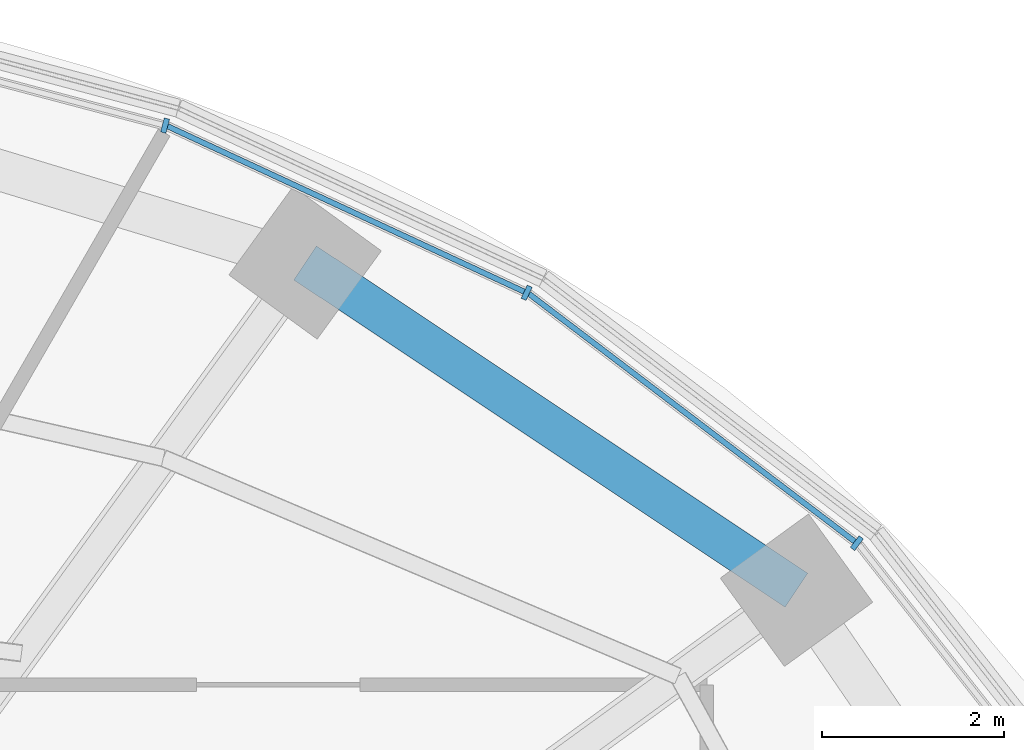
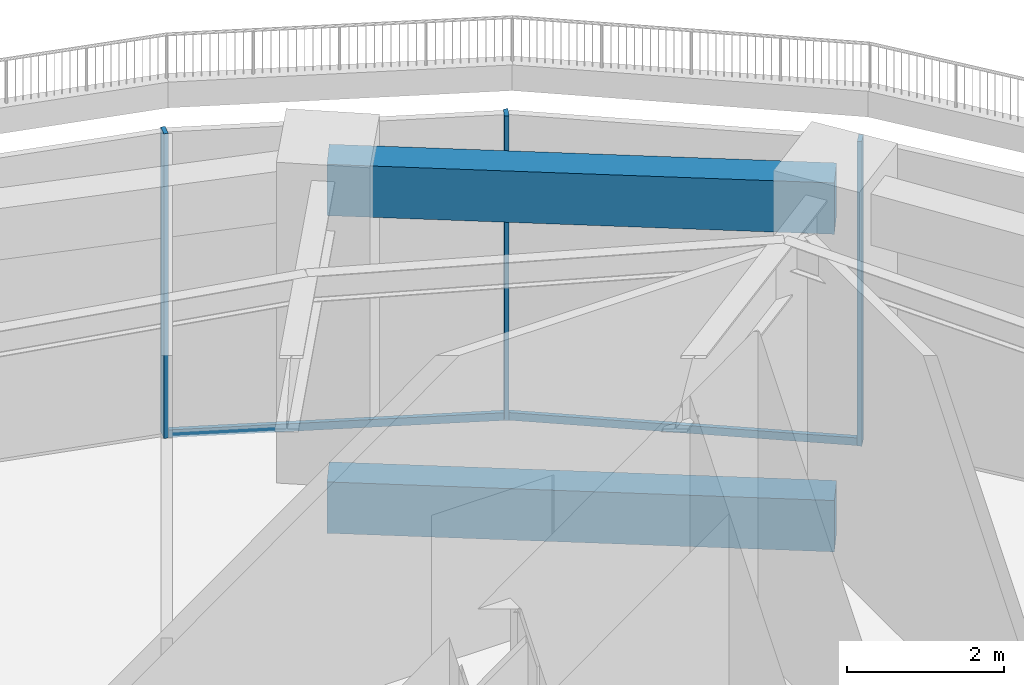
# One storey, part 8 of 19: 5 members, 2 beams, 2 elements without a shape of their own.
"""IFC4 building model written with IfcOpenShell, lengths in metres."""

from ifc_helpers import new_model, si_unit, direction, frame, origin, origin_2d, place, context, subcontext, project, spatial, rectangle, extrude, material, material_profile, profile_set, type_object, element, aggregate, save


model = new_model("IFC4")

# Units and contexts
model_context = context("Model", 3, precision=1e-05, world=origin(), true_north=direction((0.0, 1.0)))
body_context = subcontext(model_context, "Body", "Model", "MODEL_VIEW")
ifc_project = project(units=[si_unit("LENGTHUNIT", "METRE"), si_unit("AREAUNIT", "SQUARE_METRE"), si_unit("VOLUMEUNIT", "CUBIC_METRE"), si_unit("PLANEANGLEUNIT", "RADIAN"), si_unit("MASSUNIT", "GRAM", prefix="KILO")], contexts=[model_context])

# Site, building, storey
site_placement = place(None, origin())
site = spatial("IfcSite", under=ifc_project, at=site_placement, CompositionType="ELEMENT")
building_placement = place(site_placement, origin())
building = spatial("IfcBuilding", under=site, at=building_placement, Name="Marramba Exchange Tower", CompositionType="ELEMENT")
storey_placement = place(building_placement, frame((0.0, 0.0, 277.0)))
storey = spatial("IfcBuildingStorey", under=building, at=storey_placement, Name="L67", CompositionType="ELEMENT", Elevation=277.0)

# Curtain wall, members
ifc_material_1 = material(Name="Aluminium framing, bronze anodised", Category="aluminium")
curtain_wall_type = type_object("IfcCurtainWallType", Name="Plant floor louvred curtain wall", PredefinedType="USERDEFINED", material=ifc_material_1)
curtain_wall_1_placement = place(storey_placement, origin())
curtain_wall_1 = element("IfcCurtainWall", 1, at=curtain_wall_1_placement, inside=storey, type_object=curtain_wall_type, Name="Curtain wall CW6 L67 F01-F05", ObjectType="RIBBON CURTAIN WALL", PredefinedType="USERDEFINED")
ifc_material_2 = material(Name="Aluminium mullion, bronze anodised", Category="aluminium")
ifc_material_profile_1 = material_profile(ifc_material_2, rectangle(XDim=0.159912109375, YDim=0.06005859375, at=origin_2d()), Name="CW6 mullion 60x160")
ifc_profile_set_1 = profile_set([ifc_material_profile_1], Name="Aluminium mullion, bronze anodised")
member_type_1 = type_object("IfcMemberType", Name="Plant floor louvred curtain wall mullion", PredefinedType="MULLION", material=ifc_profile_set_1)
member_1_placement = place(storey_placement, frame((17.6494140625, 12.858642578125, 0.0), z_axis=(0.0, 0.0, 1.0), x_axis=(-0.605219156516, -0.796058900199, 0.0)))
member_1 = element("IfcMember", 2, at=member_1_placement, type_object=member_type_1, Name="CW6 mullion 1", PredefinedType="MULLION", context=body_context, shape_type="SweptSolid", body=[
    extrude(rectangle(XDim=0.159912109375, YDim=0.06005859375, at=origin_2d()), origin(), (0.0, 0.0, 1.0), 4.75),
])
member_2_placement = place(storey_placement, frame((14.01806640625, 15.611572265625, 0.0), z_axis=(0.0, 0.0, 1.0), x_axis=(-0.420849274712, -0.90713057934, 0.0)))
member_2 = element("IfcMember", 3, at=member_2_placement, type_object=member_type_1, Name="CW6 mullion 1", PredefinedType="MULLION", context=body_context, shape_type="SweptSolid", body=[
    extrude(rectangle(XDim=0.159912109375, YDim=0.06005859375, at=origin_2d()), origin(), (0.0, 0.0, 1.0), 4.75),
])

# Curtain wall, member
curtain_wall_2_placement = place(storey_placement, origin())
curtain_wall_2 = element("IfcCurtainWall", 4, at=curtain_wall_2_placement, inside=storey, type_object=curtain_wall_type, Name="Curtain wall CW6 L67 F06-F10", ObjectType="RIBBON CURTAIN WALL", PredefinedType="USERDEFINED")
member_3_placement = place(storey_placement, frame((10.04150390625, 17.450439453125, 0.0), z_axis=(0.0, 0.0, 1.0), x_axis=(-0.256125574813, -0.966643517501, 0.0)))
member_3 = element("IfcMember", 5, at=member_3_placement, type_object=member_type_1, Name="CW6 mullion 1", PredefinedType="MULLION", context=body_context, shape_type="SweptSolid", body=[
    extrude(rectangle(XDim=0.159912109375, YDim=0.06005859375, at=origin_2d()), origin(), (0.0, 0.0, 1.0), 4.75),
])
aggregate(curtain_wall_2, [member_3])

# Member
ifc_material_3 = material(Name="Aluminium transom, bronze anodised", Category="aluminium")
ifc_material_profile_2 = material_profile(ifc_material_3, rectangle(XDim=0.06005859375, YDim=0.1201171875, at=origin_2d()), Name="CW6 transom 60x120")
ifc_profile_set_2 = profile_set([ifc_material_profile_2], Name="Aluminium transom, bronze anodised")
member_type_2 = type_object("IfcMemberType", Name="Plant floor louvred curtain wall transom", PredefinedType="USERDEFINED", material=ifc_profile_set_2)
member_4_placement = place(storey_placement, frame((17.625732421875, 12.876708984375, 0.030029296875), z_axis=(-0.796061771764, 0.605215379461, 0.0), x_axis=(-0.605215379461, -0.796061771764, 0.0)))
member_4 = element("IfcMember", 6, at=member_4_placement, type_object=member_type_2, Name="CW6 sill transom", ObjectType="TRANSOM", PredefinedType="USERDEFINED", context=body_context, shape_type="SweptSolid", body=[
    extrude(rectangle(XDim=0.06005859375, YDim=0.1201171875, at=origin_2d()), origin(), (0.0, 0.0, 1.0), 4.497802734375),
])

member_5_placement = place(storey_placement, frame((13.99072265625, 15.6240234375, 0.030029296875), z_axis=(-0.907117597316, 0.420877256026, 0.0), x_axis=(-0.420877256026, -0.907117597316, 0.0)))
member_5 = element("IfcMember", 7, at=member_5_placement, type_object=member_type_2, Name="CW6 sill transom", ObjectType="TRANSOM", PredefinedType="USERDEFINED", context=body_context, shape_type="SweptSolid", body=[
    extrude(rectangle(XDim=0.06005859375, YDim=0.1201171875, at=origin_2d()), origin(), (0.0, 0.0, 1.0), 4.321533203125),
])

aggregate(curtain_wall_1, [member_1, member_4, member_2, member_5])

# Beams
ifc_material_4 = material(Name="Concrete N50", Category="concrete")
ifc_material_profile_3 = material_profile(ifc_material_4, rectangle(XDim=0.449951171875, YDim=0.800048828125, at=origin_2d()), Name="RC 450x800")
ifc_profile_set_3 = profile_set([ifc_material_profile_3], Name="Concrete N50")
beam_type = type_object("IfcBeamType", Name="Ring beam RC 450x800 N50", PredefinedType="SPANDREL", material=ifc_profile_set_3)
for number, where, z_axis, x_axis, name in (
    (8, (16.98583984375, 12.3408203125, -0.60009765625), (-0.832293151443, 0.554335737673, 0.0), (-0.554335737673, -0.832293151443, 0.0), "Ring beam L67 TC03-TC04"),
    (9, (16.98583984375, 12.3408203125, 4.35009765625), (-0.832293151443, 0.554335737673, 0.0), (-0.554335737673, -0.832293151443, 0.0), "Ring beam RF TC03-TC04"),
):
    element("IfcBeam", number, at=place(storey_placement, frame(where, z_axis=z_axis, x_axis=x_axis)), inside=storey, type_object=beam_type, Name=name, PredefinedType="SPANDREL", context=body_context, shape_type="SweptSolid", body=[
        extrude(rectangle(XDim=0.449951171875, YDim=0.800048828125, at=origin_2d()), origin(), (0.0, 0.0, 1.0), 6.49365234375),
    ])

save(model, "model.ifc")
